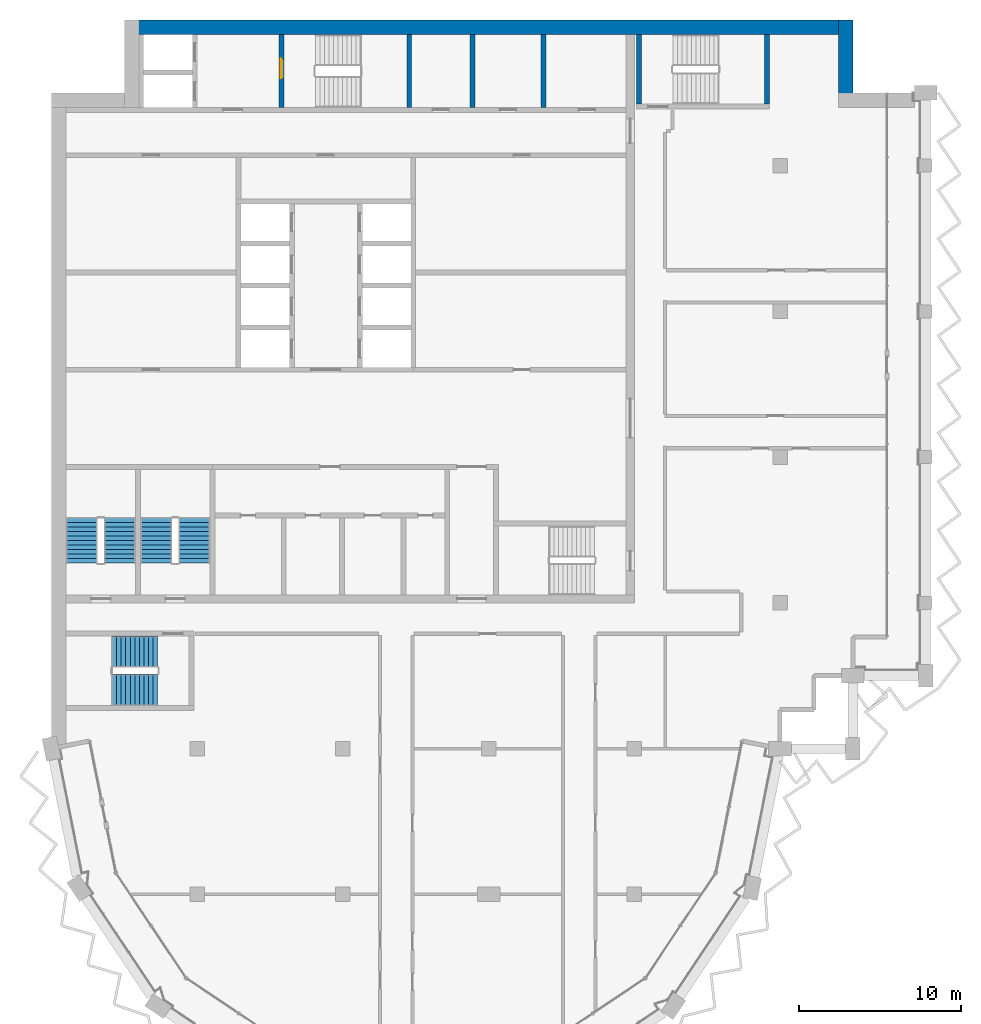
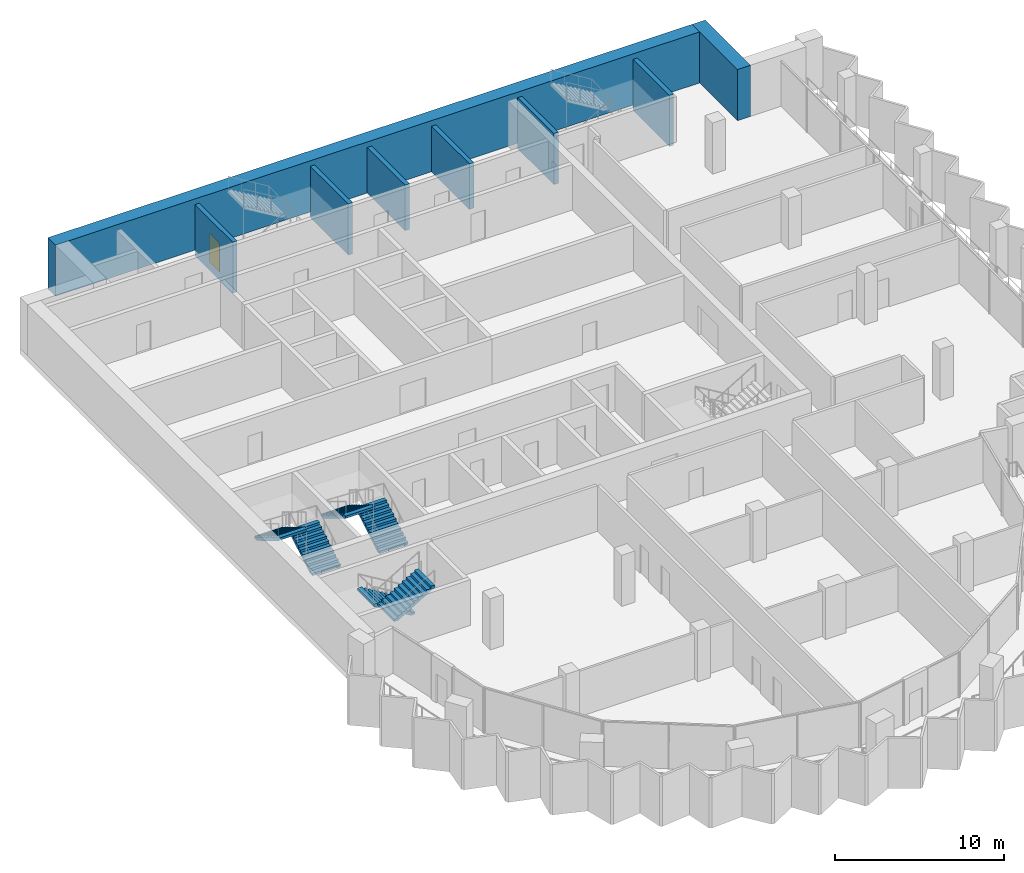
# One storey, part 10 of 14: 8 walls, 6 stair flights, 1 door, 1 opening, 3 elements without a shape of their own.
"""IFC4 building model written with IfcOpenShell, lengths in metres."""

from ifc_helpers import new_model, si_unit, direction, frame, frame_2d, origin, place, context, subcontext, project, spatial, polyline, rectangle, outline, extrude, material, layer, layer_set, type_object, element, fill, aggregate, save


model = new_model("IFC4")

# Units and contexts
model_context = context("Model", 3, precision=1e-05, world=origin(), true_north=direction((0.0, 1.0)))
body_context = subcontext(model_context, "Body", "Model", "MODEL_VIEW")
ifc_project = project(units=[si_unit("LENGTHUNIT", "METRE"), si_unit("AREAUNIT", "SQUARE_METRE"), si_unit("VOLUMEUNIT", "CUBIC_METRE"), si_unit("PLANEANGLEUNIT", "RADIAN"), si_unit("MASSUNIT", "GRAM", prefix="KILO")], contexts=[model_context])

# Site, building, storey
site_placement = place(None, origin())
site = spatial("IfcSite", under=ifc_project, at=site_placement, CompositionType="ELEMENT")
building_placement = place(site_placement, origin())
building = spatial("IfcBuilding", under=site, at=building_placement, Name="Hunhe Ridgeline Campus", CompositionType="ELEMENT")
storey_placement = place(building_placement, frame((0.0, 0.0, 284.5)))
storey = spatial("IfcBuildingStorey", under=building, at=storey_placement, Name="L73", CompositionType="ELEMENT", Elevation=284.5)

# Walls
ifc_material_1 = material(Name="Masonry concrete blockwork", Category="masonry")
ifc_layer_1 = layer(ifc_material_1, 0.300048828125)
ifc_layer_set_1 = layer_set([ifc_layer_1], Name="Core room partition 300 concrete block")
wall_type_1 = type_object("IfcWallType", Name="Core room partition 300 concrete block", PredefinedType="PARTITIONING", material=ifc_layer_set_1)
for number, where, z_axis, x_axis, name in (
    (1, (26.0, 93.60009765625, 0.0), (0.0, 0.0, 1.0), (0.0, 1.0, 0.0), "L73 core partition 40"),
    (2, (30.39990234375, 93.60009765625, 0.0), (0.0, 0.0, 1.0), (0.0, 1.0, 0.0), "L73 core partition 43"),
):
    element("IfcWall", number, at=place(storey_placement, frame(where, z_axis=z_axis, x_axis=x_axis)), inside=storey, type_object=wall_type_1, Name=name, PredefinedType="PARTITIONING", context=body_context, shape_type="SweptSolid", body=[
        extrude(rectangle(XDim=4.5, YDim=0.300048828125, at=frame_2d((2.25, 0.0))), origin(), (0.0, 0.0, 1.0), 3.300048828125),
    ])
ifc_material_2 = material(Name="Concrete C50", Category="concrete")
ifc_layer_2 = layer(ifc_material_2, 0.89990234375)
ifc_layer_set_2 = layer_set([ifc_layer_2], Name="Spine wall 900 Concrete C50")
wall_type_2 = type_object("IfcWallType", Name="Spine wall 900 Concrete C50", PredefinedType="SHEAR", material=ifc_layer_set_2)
wall_1_placement = place(storey_placement, frame((49.050048828125, 93.60009765625, 0.0), z_axis=(0.0, 0.0, 1.0), x_axis=(0.0, 1.0, 0.0)))
element("IfcWall", 3, at=wall_1_placement, inside=storey, type_object=wall_type_2, Name="Spine wall SW4-3 L73", PredefinedType="SHEAR", context=body_context, shape_type="SweptSolid", body=[
    extrude(rectangle(XDim=5.39990234375, YDim=0.89990234375, at=frame_2d((2.699951171875, 0.0))), origin(), (0.0, 0.0, 1.0), 3.699951171875),
])
wall_2_placement = place(storey_placement, frame((49.5, 98.550048828125, 0.0), z_axis=(0.0, 0.0, 1.0), x_axis=(-1.0, 0.0, 0.0)))
element("IfcWall", 4, at=wall_2_placement, inside=storey, type_object=wall_type_2, Name="Spine wall SW4-4 L73", PredefinedType="SHEAR", context=body_context, shape_type="SweptSolid", body=[
    extrude(rectangle(XDim=45.0, YDim=0.89990234375, at=frame_2d((22.5, 0.0))), origin(), (0.0, 0.0, 1.0), 3.699951171875),
])

# Wall, opening, door
ifc_layer_3 = layer(ifc_material_2, 0.300048828125)
ifc_layer_set_3 = layer_set([ifc_layer_3], Name="Stair wall 300 reinforced concrete C50")
wall_type_3 = type_object("IfcWallType", Name="Stair wall 300 reinforced concrete C50", PredefinedType="SOLIDWALL", material=ifc_layer_set_3)
wall_3_placement = place(storey_placement, frame((14.199951171875, 93.60009765625, -0.39990234375), z_axis=(0.0, 0.0, 1.0), x_axis=(0.0, 1.0, 0.0)))
wall_3 = element("IfcWall", 5, at=wall_3_placement, inside=storey, type_object=wall_type_3, Name="L73 core wall 30", PredefinedType="SOLIDWALL", context=body_context, shape_type="SweptSolid", body=[
    extrude(rectangle(XDim=4.5, YDim=0.300048828125, at=frame_2d((2.25, 0.0))), origin(), (0.0, 0.0, 1.0), 3.699951171875),
])
opening_placement = place(wall_3_placement, frame((1.800048828125, 0.0, 0.39990234375)))
opening = element("IfcOpeningElement", 6, at=opening_placement, cuts=wall_3, Name="Opening CD16", PredefinedType="OPENING", context=body_context, shape_type="SweptSolid", body=[
    extrude(rectangle(XDim=1.199951171875, YDim=2.10009765625, at=frame_2d((0.60009765625, 1.050048828125))), frame((0.0, 0.14990234375, 0.0), z_axis=(0.0, -1.0, 0.0), x_axis=(1.0, 0.0, 0.0)), (0.0, 0.0, 1.0), 0.300048828125),
])
ifc_material_3 = material(Name="Hollow metal fire door leaf")
door_type = type_object("IfcDoorType", Name="Stair door 1200x2100 FD60", OperationType="SINGLE_SWING_LEFT", PredefinedType="DOOR", material=ifc_material_3)
door_placement = place(opening_placement, origin())
door = element("IfcDoor", 7, at=door_placement, inside=storey, type_object=door_type, Name="L73 door S1-FF", OperationType="SINGLE_SWING_RIGHT", OverallHeight=2.10009765625, OverallWidth=1.199951171875, PredefinedType="DOOR", context=body_context, shape_type="SweptSolid", body=[
    extrude(rectangle(XDim=1.199951171875, YDim=2.10009765625, at=frame_2d((0.60009765625, 1.050048828125))), frame((0.0, 0.02490234375, 0.0), z_axis=(0.0, -1.0, 0.0), x_axis=(1.0, 0.0, 0.0)), (0.0, 0.0, 1.0), 0.050048828125),
])
fill(opening, door)

# Walls
wall_4_placement = place(storey_placement, frame((22.10009765625, 93.60009765625, -0.39990234375), z_axis=(0.0, 0.0, 1.0), x_axis=(0.0, 1.0, 0.0)))
element("IfcWall", 8, at=wall_4_placement, inside=storey, type_object=wall_type_3, Name="L73 core wall 36", PredefinedType="SOLIDWALL", context=body_context, shape_type="SweptSolid", body=[
    extrude(rectangle(XDim=4.5, YDim=0.300048828125, at=frame_2d((2.25, 0.0))), origin(), (0.0, 0.0, 1.0), 3.699951171875),
])
for number, where, z_axis, x_axis, name in (
    (9, (36.300048828125, 93.800048828125, -0.39990234375), (0.0, 0.0, 1.0), (0.0, 1.0, 0.0), "L73 core wall 45"),
    (10, (44.199951171875, 93.800048828125, -0.39990234375), (0.0, 0.0, 1.0), (0.0, 1.0, 0.0), "L73 core wall 46"),
):
    element("IfcWall", number, at=place(storey_placement, frame(where, z_axis=z_axis, x_axis=x_axis)), inside=storey, type_object=wall_type_3, Name=name, PredefinedType="SOLIDWALL", context=body_context, shape_type="SweptSolid", body=[
        extrude(rectangle(XDim=4.300048828125, YDim=0.300048828125, at=frame_2d((2.14990234375, 0.0))), origin(), (0.0, 0.0, 1.0), 3.699951171875),
    ])

# Stair, stair flights
ifc_material_4 = material(Name="Concrete C40", Category="concrete")
stair_type = type_object("IfcStairType", Name="Reinforced concrete dog-leg stair 1950 Concrete C40", PredefinedType="HALF_TURN_STAIR", material=ifc_material_4)
stair_1_placement = place(storey_placement, origin())
stair_1 = element("IfcStair", 11, at=stair_1_placement, inside=storey, type_object=stair_type, Name="L73 S3", PredefinedType="HALF_TURN_STAIR")
stair_flight_type = type_object("IfcStairFlightType", Name="Reinforced concrete stair flight 1950 Concrete C40", PredefinedType="STRAIGHT", material=ifc_material_4)
stair_flight_1_placement = place(storey_placement, frame((4.22509765625, 65.449951171875, 0.0), z_axis=(0.0, 0.0, 1.0), x_axis=(0.0, 1.0, 0.0)))
stair_flight_1 = element("IfcStairFlight", 12, at=stair_flight_1_placement, type_object=stair_flight_type, Name="ST3 flight 1", NumberOfRisers=11, NumberOfTreads=10, PredefinedType="STRAIGHT", RiserHeight=0.168181818, TreadLength=0.28, context=body_context, shape_type="SweptSolid", body=[
    extrude(outline(polyline([(0.0, 0.0), (0.0, 0.168212890625), (0.280029296875, 0.168212890625), (0.280029296875, 0.33642578125), (0.56005859375, 0.33642578125), (0.56005859375, 0.504638671875), (0.840087890625, 0.504638671875), (0.840087890625, 0.672607421875), (1.1201171875, 0.672607421875), (1.1201171875, 0.8408203125), (1.39990234375, 0.8408203125), (1.39990234375, 1.009033203125), (1.679931640625, 1.009033203125), (1.679931640625, 1.17724609375), (1.9599609375, 1.17724609375), (1.9599609375, 1.345458984375), (2.239990234375, 1.345458984375), (2.239990234375, 1.513671875), (2.52001953125, 1.513671875), (2.52001953125, 1.681884765625), (2.800048828125, 1.681884765625), (2.800048828125, 1.85009765625), (2.800048828125, 1.5068359375), (0.291015625, 0.0), (0.0, 0.0)])), frame((0.0, 0.97509765625, 0.0), z_axis=(0.0, -1.0, 0.0), x_axis=(1.0, 0.0, 0.0)), (0.0, 0.0, 1.0), 1.949951171875),
    extrude(outline(polyline([(0.030029296875, 0.030029296875), (0.030029296875, 0.13818359375), (0.31005859375, 0.13818359375), (0.31005859375, 0.306396484375), (0.590087890625, 0.306396484375), (0.590087890625, 0.474609375), (0.8701171875, 0.474609375), (0.8701171875, 0.642578125), (1.14990234375, 0.642578125), (1.14990234375, 0.810791015625), (1.429931640625, 0.810791015625), (1.429931640625, 0.97900390625), (1.7099609375, 0.97900390625), (1.7099609375, 1.147216796875), (1.989990234375, 1.147216796875), (1.989990234375, 1.3154296875), (2.27001953125, 1.3154296875), (2.27001953125, 1.483642578125), (2.550048828125, 1.483642578125), (2.550048828125, 1.65185546875), (2.77001953125, 1.65185546875), (2.77001953125, 1.52392578125), (0.28271484375, 0.030029296875), (0.030029296875, 0.030029296875)])), frame((0.0, -0.070068359375, 0.0), z_axis=(0.0, -1.0, 0.0), x_axis=(1.0, 0.0, 0.0)), (0.0, 0.0, 1.0), 0.019775390625),
    extrude(outline(polyline([(0.030029296875, 0.030029296875), (0.030029296875, 0.13818359375), (0.31005859375, 0.13818359375), (0.31005859375, 0.306396484375), (0.590087890625, 0.306396484375), (0.590087890625, 0.474609375), (0.8701171875, 0.474609375), (0.8701171875, 0.642578125), (1.14990234375, 0.642578125), (1.14990234375, 0.810791015625), (1.429931640625, 0.810791015625), (1.429931640625, 0.97900390625), (1.7099609375, 0.97900390625), (1.7099609375, 1.147216796875), (1.989990234375, 1.147216796875), (1.989990234375, 1.3154296875), (2.27001953125, 1.3154296875), (2.27001953125, 1.483642578125), (2.550048828125, 1.483642578125), (2.550048828125, 1.65185546875), (2.77001953125, 1.65185546875), (2.77001953125, 1.52392578125), (0.28271484375, 0.030029296875), (0.030029296875, 0.030029296875)])), frame((0.0, 0.010009765625, 0.0), z_axis=(0.0, -1.0, 0.0), x_axis=(1.0, 0.0, 0.0)), (0.0, 0.0, 1.0), 0.019775390625),
    extrude(outline(polyline([(0.030029296875, 0.030029296875), (0.030029296875, 0.13818359375), (0.31005859375, 0.13818359375), (0.31005859375, 0.306396484375), (0.590087890625, 0.306396484375), (0.590087890625, 0.474609375), (0.8701171875, 0.474609375), (0.8701171875, 0.642578125), (1.14990234375, 0.642578125), (1.14990234375, 0.810791015625), (1.429931640625, 0.810791015625), (1.429931640625, 0.97900390625), (1.7099609375, 0.97900390625), (1.7099609375, 1.147216796875), (1.989990234375, 1.147216796875), (1.989990234375, 1.3154296875), (2.27001953125, 1.3154296875), (2.27001953125, 1.483642578125), (2.550048828125, 1.483642578125), (2.550048828125, 1.65185546875), (2.77001953125, 1.65185546875), (2.77001953125, 1.52392578125), (0.28271484375, 0.030029296875), (0.030029296875, 0.030029296875)])), frame((0.0, 0.090087890625, 0.0), z_axis=(0.0, -1.0, 0.0), x_axis=(1.0, 0.0, 0.0)), (0.0, 0.0, 1.0), 0.019775390625),
])
stair_flight_2_placement = place(storey_placement, frame((1.875, 68.25, 1.85009765625), z_axis=(0.0, 0.0, 1.0), x_axis=(0.0, -1.0, 0.0)))
stair_flight_2 = element("IfcStairFlight", 13, at=stair_flight_2_placement, type_object=stair_flight_type, Name="ST3 flight 2", NumberOfRisers=11, NumberOfTreads=10, PredefinedType="STRAIGHT", RiserHeight=0.168181818, TreadLength=0.28, context=body_context, shape_type="SweptSolid", body=[
    extrude(outline(polyline([(0.0, 0.0), (0.0, 0.168212890625), (0.280029296875, 0.168212890625), (0.280029296875, 0.33642578125), (0.56005859375, 0.33642578125), (0.56005859375, 0.504638671875), (0.840087890625, 0.504638671875), (0.840087890625, 0.672607421875), (1.1201171875, 0.672607421875), (1.1201171875, 0.8408203125), (1.39990234375, 0.8408203125), (1.39990234375, 1.009033203125), (1.679931640625, 1.009033203125), (1.679931640625, 1.17724609375), (1.9599609375, 1.17724609375), (1.9599609375, 1.345458984375), (2.239990234375, 1.345458984375), (2.239990234375, 1.513671875), (2.52001953125, 1.513671875), (2.52001953125, 1.681884765625), (2.800048828125, 1.681884765625), (2.800048828125, 1.85009765625), (2.800048828125, 1.5068359375), (0.291015625, 0.0), (0.0, 0.0)])), frame((0.0, 0.97509765625, 0.0), z_axis=(0.0, -1.0, 0.0), x_axis=(1.0, 0.0, 0.0)), (0.0, 0.0, 1.0), 1.949951171875),
    extrude(outline(polyline([(0.030029296875, 0.030029296875), (0.030029296875, 0.13818359375), (0.31005859375, 0.13818359375), (0.31005859375, 0.306396484375), (0.590087890625, 0.306396484375), (0.590087890625, 0.474609375), (0.8701171875, 0.474609375), (0.8701171875, 0.642578125), (1.14990234375, 0.642578125), (1.14990234375, 0.810791015625), (1.429931640625, 0.810791015625), (1.429931640625, 0.97900390625), (1.7099609375, 0.97900390625), (1.7099609375, 1.147216796875), (1.989990234375, 1.147216796875), (1.989990234375, 1.3154296875), (2.27001953125, 1.3154296875), (2.27001953125, 1.483642578125), (2.550048828125, 1.483642578125), (2.550048828125, 1.65185546875), (2.77001953125, 1.65185546875), (2.77001953125, 1.52392578125), (0.28271484375, 0.030029296875), (0.030029296875, 0.030029296875)])), frame((0.0, -0.070068359375, 0.0), z_axis=(0.0, -1.0, 0.0), x_axis=(1.0, 0.0, 0.0)), (0.0, 0.0, 1.0), 0.019775390625),
    extrude(outline(polyline([(0.030029296875, 0.030029296875), (0.030029296875, 0.13818359375), (0.31005859375, 0.13818359375), (0.31005859375, 0.306396484375), (0.590087890625, 0.306396484375), (0.590087890625, 0.474609375), (0.8701171875, 0.474609375), (0.8701171875, 0.642578125), (1.14990234375, 0.642578125), (1.14990234375, 0.810791015625), (1.429931640625, 0.810791015625), (1.429931640625, 0.97900390625), (1.7099609375, 0.97900390625), (1.7099609375, 1.147216796875), (1.989990234375, 1.147216796875), (1.989990234375, 1.3154296875), (2.27001953125, 1.3154296875), (2.27001953125, 1.483642578125), (2.550048828125, 1.483642578125), (2.550048828125, 1.65185546875), (2.77001953125, 1.65185546875), (2.77001953125, 1.52392578125), (0.28271484375, 0.030029296875), (0.030029296875, 0.030029296875)])), frame((0.0, 0.010009765625, 0.0), z_axis=(0.0, -1.0, 0.0), x_axis=(1.0, 0.0, 0.0)), (0.0, 0.0, 1.0), 0.019775390625),
    extrude(outline(polyline([(0.030029296875, 0.030029296875), (0.030029296875, 0.13818359375), (0.31005859375, 0.13818359375), (0.31005859375, 0.306396484375), (0.590087890625, 0.306396484375), (0.590087890625, 0.474609375), (0.8701171875, 0.474609375), (0.8701171875, 0.642578125), (1.14990234375, 0.642578125), (1.14990234375, 0.810791015625), (1.429931640625, 0.810791015625), (1.429931640625, 0.97900390625), (1.7099609375, 0.97900390625), (1.7099609375, 1.147216796875), (1.989990234375, 1.147216796875), (1.989990234375, 1.3154296875), (2.27001953125, 1.3154296875), (2.27001953125, 1.483642578125), (2.550048828125, 1.483642578125), (2.550048828125, 1.65185546875), (2.77001953125, 1.65185546875), (2.77001953125, 1.52392578125), (0.28271484375, 0.030029296875), (0.030029296875, 0.030029296875)])), frame((0.0, 0.090087890625, 0.0), z_axis=(0.0, -1.0, 0.0), x_axis=(1.0, 0.0, 0.0)), (0.0, 0.0, 1.0), 0.019775390625),
])
aggregate(stair_1, [stair_flight_1, stair_flight_2])

stair_2_placement = place(storey_placement, origin())
stair_2 = element("IfcStair", 14, at=stair_2_placement, inside=storey, type_object=stair_type, Name="L73 S4", PredefinedType="HALF_TURN_STAIR")
stair_flight_3_placement = place(storey_placement, frame((8.824951171875, 65.449951171875, 0.0), z_axis=(0.0, 0.0, 1.0), x_axis=(0.0, 1.0, 0.0)))
stair_flight_3 = element("IfcStairFlight", 15, at=stair_flight_3_placement, type_object=stair_flight_type, Name="ST4 flight 1", NumberOfRisers=11, NumberOfTreads=10, PredefinedType="STRAIGHT", RiserHeight=0.168181818, TreadLength=0.28, context=body_context, shape_type="SweptSolid", body=[
    extrude(outline(polyline([(0.0, 0.0), (0.0, 0.168212890625), (0.280029296875, 0.168212890625), (0.280029296875, 0.33642578125), (0.56005859375, 0.33642578125), (0.56005859375, 0.504638671875), (0.840087890625, 0.504638671875), (0.840087890625, 0.672607421875), (1.1201171875, 0.672607421875), (1.1201171875, 0.8408203125), (1.39990234375, 0.8408203125), (1.39990234375, 1.009033203125), (1.679931640625, 1.009033203125), (1.679931640625, 1.17724609375), (1.9599609375, 1.17724609375), (1.9599609375, 1.345458984375), (2.239990234375, 1.345458984375), (2.239990234375, 1.513671875), (2.52001953125, 1.513671875), (2.52001953125, 1.681884765625), (2.800048828125, 1.681884765625), (2.800048828125, 1.85009765625), (2.800048828125, 1.5068359375), (0.291015625, 0.0), (0.0, 0.0)])), frame((0.0, 0.97509765625, 0.0), z_axis=(0.0, -1.0, 0.0), x_axis=(1.0, 0.0, 0.0)), (0.0, 0.0, 1.0), 1.949951171875),
    extrude(outline(polyline([(0.030029296875, 0.030029296875), (0.030029296875, 0.13818359375), (0.31005859375, 0.13818359375), (0.31005859375, 0.306396484375), (0.590087890625, 0.306396484375), (0.590087890625, 0.474609375), (0.8701171875, 0.474609375), (0.8701171875, 0.642578125), (1.14990234375, 0.642578125), (1.14990234375, 0.810791015625), (1.429931640625, 0.810791015625), (1.429931640625, 0.97900390625), (1.7099609375, 0.97900390625), (1.7099609375, 1.147216796875), (1.989990234375, 1.147216796875), (1.989990234375, 1.3154296875), (2.27001953125, 1.3154296875), (2.27001953125, 1.483642578125), (2.550048828125, 1.483642578125), (2.550048828125, 1.65185546875), (2.77001953125, 1.65185546875), (2.77001953125, 1.52392578125), (0.28271484375, 0.030029296875), (0.030029296875, 0.030029296875)])), frame((0.0, -0.070068359375, 0.0), z_axis=(0.0, -1.0, 0.0), x_axis=(1.0, 0.0, 0.0)), (0.0, 0.0, 1.0), 0.019775390625),
    extrude(outline(polyline([(0.030029296875, 0.030029296875), (0.030029296875, 0.13818359375), (0.31005859375, 0.13818359375), (0.31005859375, 0.306396484375), (0.590087890625, 0.306396484375), (0.590087890625, 0.474609375), (0.8701171875, 0.474609375), (0.8701171875, 0.642578125), (1.14990234375, 0.642578125), (1.14990234375, 0.810791015625), (1.429931640625, 0.810791015625), (1.429931640625, 0.97900390625), (1.7099609375, 0.97900390625), (1.7099609375, 1.147216796875), (1.989990234375, 1.147216796875), (1.989990234375, 1.3154296875), (2.27001953125, 1.3154296875), (2.27001953125, 1.483642578125), (2.550048828125, 1.483642578125), (2.550048828125, 1.65185546875), (2.77001953125, 1.65185546875), (2.77001953125, 1.52392578125), (0.28271484375, 0.030029296875), (0.030029296875, 0.030029296875)])), frame((0.0, 0.010009765625, 0.0), z_axis=(0.0, -1.0, 0.0), x_axis=(1.0, 0.0, 0.0)), (0.0, 0.0, 1.0), 0.019775390625),
    extrude(outline(polyline([(0.030029296875, 0.030029296875), (0.030029296875, 0.13818359375), (0.31005859375, 0.13818359375), (0.31005859375, 0.306396484375), (0.590087890625, 0.306396484375), (0.590087890625, 0.474609375), (0.8701171875, 0.474609375), (0.8701171875, 0.642578125), (1.14990234375, 0.642578125), (1.14990234375, 0.810791015625), (1.429931640625, 0.810791015625), (1.429931640625, 0.97900390625), (1.7099609375, 0.97900390625), (1.7099609375, 1.147216796875), (1.989990234375, 1.147216796875), (1.989990234375, 1.3154296875), (2.27001953125, 1.3154296875), (2.27001953125, 1.483642578125), (2.550048828125, 1.483642578125), (2.550048828125, 1.65185546875), (2.77001953125, 1.65185546875), (2.77001953125, 1.52392578125), (0.28271484375, 0.030029296875), (0.030029296875, 0.030029296875)])), frame((0.0, 0.090087890625, 0.0), z_axis=(0.0, -1.0, 0.0), x_axis=(1.0, 0.0, 0.0)), (0.0, 0.0, 1.0), 0.019775390625),
])
stair_flight_4_placement = place(storey_placement, frame((6.47509765625, 68.25, 1.85009765625), z_axis=(0.0, 0.0, 1.0), x_axis=(0.0, -1.0, 0.0)))
stair_flight_4 = element("IfcStairFlight", 16, at=stair_flight_4_placement, type_object=stair_flight_type, Name="ST4 flight 2", NumberOfRisers=11, NumberOfTreads=10, PredefinedType="STRAIGHT", RiserHeight=0.168181818, TreadLength=0.28, context=body_context, shape_type="SweptSolid", body=[
    extrude(outline(polyline([(0.0, 0.0), (0.0, 0.168212890625), (0.280029296875, 0.168212890625), (0.280029296875, 0.33642578125), (0.56005859375, 0.33642578125), (0.56005859375, 0.504638671875), (0.840087890625, 0.504638671875), (0.840087890625, 0.672607421875), (1.1201171875, 0.672607421875), (1.1201171875, 0.8408203125), (1.39990234375, 0.8408203125), (1.39990234375, 1.009033203125), (1.679931640625, 1.009033203125), (1.679931640625, 1.17724609375), (1.9599609375, 1.17724609375), (1.9599609375, 1.345458984375), (2.239990234375, 1.345458984375), (2.239990234375, 1.513671875), (2.52001953125, 1.513671875), (2.52001953125, 1.681884765625), (2.800048828125, 1.681884765625), (2.800048828125, 1.85009765625), (2.800048828125, 1.5068359375), (0.291015625, 0.0), (0.0, 0.0)])), frame((0.0, 0.97509765625, 0.0), z_axis=(0.0, -1.0, 0.0), x_axis=(1.0, 0.0, 0.0)), (0.0, 0.0, 1.0), 1.949951171875),
    extrude(outline(polyline([(0.030029296875, 0.030029296875), (0.030029296875, 0.13818359375), (0.31005859375, 0.13818359375), (0.31005859375, 0.306396484375), (0.590087890625, 0.306396484375), (0.590087890625, 0.474609375), (0.8701171875, 0.474609375), (0.8701171875, 0.642578125), (1.14990234375, 0.642578125), (1.14990234375, 0.810791015625), (1.429931640625, 0.810791015625), (1.429931640625, 0.97900390625), (1.7099609375, 0.97900390625), (1.7099609375, 1.147216796875), (1.989990234375, 1.147216796875), (1.989990234375, 1.3154296875), (2.27001953125, 1.3154296875), (2.27001953125, 1.483642578125), (2.550048828125, 1.483642578125), (2.550048828125, 1.65185546875), (2.77001953125, 1.65185546875), (2.77001953125, 1.52392578125), (0.28271484375, 0.030029296875), (0.030029296875, 0.030029296875)])), frame((0.0, -0.070068359375, 0.0), z_axis=(0.0, -1.0, 0.0), x_axis=(1.0, 0.0, 0.0)), (0.0, 0.0, 1.0), 0.019775390625),
    extrude(outline(polyline([(0.030029296875, 0.030029296875), (0.030029296875, 0.13818359375), (0.31005859375, 0.13818359375), (0.31005859375, 0.306396484375), (0.590087890625, 0.306396484375), (0.590087890625, 0.474609375), (0.8701171875, 0.474609375), (0.8701171875, 0.642578125), (1.14990234375, 0.642578125), (1.14990234375, 0.810791015625), (1.429931640625, 0.810791015625), (1.429931640625, 0.97900390625), (1.7099609375, 0.97900390625), (1.7099609375, 1.147216796875), (1.989990234375, 1.147216796875), (1.989990234375, 1.3154296875), (2.27001953125, 1.3154296875), (2.27001953125, 1.483642578125), (2.550048828125, 1.483642578125), (2.550048828125, 1.65185546875), (2.77001953125, 1.65185546875), (2.77001953125, 1.52392578125), (0.28271484375, 0.030029296875), (0.030029296875, 0.030029296875)])), frame((0.0, 0.010009765625, 0.0), z_axis=(0.0, -1.0, 0.0), x_axis=(1.0, 0.0, 0.0)), (0.0, 0.0, 1.0), 0.019775390625),
    extrude(outline(polyline([(0.030029296875, 0.030029296875), (0.030029296875, 0.13818359375), (0.31005859375, 0.13818359375), (0.31005859375, 0.306396484375), (0.590087890625, 0.306396484375), (0.590087890625, 0.474609375), (0.8701171875, 0.474609375), (0.8701171875, 0.642578125), (1.14990234375, 0.642578125), (1.14990234375, 0.810791015625), (1.429931640625, 0.810791015625), (1.429931640625, 0.97900390625), (1.7099609375, 0.97900390625), (1.7099609375, 1.147216796875), (1.989990234375, 1.147216796875), (1.989990234375, 1.3154296875), (2.27001953125, 1.3154296875), (2.27001953125, 1.483642578125), (2.550048828125, 1.483642578125), (2.550048828125, 1.65185546875), (2.77001953125, 1.65185546875), (2.77001953125, 1.52392578125), (0.28271484375, 0.030029296875), (0.030029296875, 0.030029296875)])), frame((0.0, 0.090087890625, 0.0), z_axis=(0.0, -1.0, 0.0), x_axis=(1.0, 0.0, 0.0)), (0.0, 0.0, 1.0), 0.019775390625),
])
aggregate(stair_2, [stair_flight_3, stair_flight_4])

stair_3_placement = place(storey_placement, origin())
stair_3 = element("IfcStair", 17, at=stair_3_placement, inside=storey, type_object=stair_type, Name="L73 W2", PredefinedType="HALF_TURN_STAIR")
stair_flight_5_placement = place(storey_placement, frame((6.550048828125, 59.97509765625, 0.0), z_axis=(0.0, 0.0, 1.0), x_axis=(-1.0, 0.0, 0.0)))
stair_flight_5 = element("IfcStairFlight", 18, at=stair_flight_5_placement, type_object=stair_flight_type, Name="ST12 flight 1", NumberOfRisers=11, NumberOfTreads=10, PredefinedType="STRAIGHT", RiserHeight=0.168181818, TreadLength=0.28, context=body_context, shape_type="SweptSolid", body=[
    extrude(outline(polyline([(0.0, 0.0), (0.0, 0.168212890625), (0.280029296875, 0.168212890625), (0.280029296875, 0.33642578125), (0.56005859375, 0.33642578125), (0.56005859375, 0.504638671875), (0.840087890625, 0.504638671875), (0.840087890625, 0.672607421875), (1.1201171875, 0.672607421875), (1.1201171875, 0.8408203125), (1.39990234375, 0.8408203125), (1.39990234375, 1.009033203125), (1.679931640625, 1.009033203125), (1.679931640625, 1.17724609375), (1.9599609375, 1.17724609375), (1.9599609375, 1.345458984375), (2.239990234375, 1.345458984375), (2.239990234375, 1.513671875), (2.52001953125, 1.513671875), (2.52001953125, 1.681884765625), (2.800048828125, 1.681884765625), (2.800048828125, 1.85009765625), (2.800048828125, 1.5068359375), (0.291015625, 0.0), (0.0, 0.0)])), frame((0.0, 0.97509765625, 0.0), z_axis=(0.0, -1.0, 0.0), x_axis=(1.0, 0.0, 0.0)), (0.0, 0.0, 1.0), 1.949951171875),
    extrude(outline(polyline([(0.030029296875, 0.030029296875), (0.030029296875, 0.13818359375), (0.31005859375, 0.13818359375), (0.31005859375, 0.306396484375), (0.590087890625, 0.306396484375), (0.590087890625, 0.474609375), (0.8701171875, 0.474609375), (0.8701171875, 0.642578125), (1.14990234375, 0.642578125), (1.14990234375, 0.810791015625), (1.429931640625, 0.810791015625), (1.429931640625, 0.97900390625), (1.7099609375, 0.97900390625), (1.7099609375, 1.147216796875), (1.989990234375, 1.147216796875), (1.989990234375, 1.3154296875), (2.27001953125, 1.3154296875), (2.27001953125, 1.483642578125), (2.550048828125, 1.483642578125), (2.550048828125, 1.65185546875), (2.77001953125, 1.65185546875), (2.77001953125, 1.52392578125), (0.28271484375, 0.030029296875), (0.030029296875, 0.030029296875)])), frame((0.0, -0.070068359375, 0.0), z_axis=(0.0, -1.0, 0.0), x_axis=(1.0, 0.0, 0.0)), (0.0, 0.0, 1.0), 0.019775390625),
    extrude(outline(polyline([(0.030029296875, 0.030029296875), (0.030029296875, 0.13818359375), (0.31005859375, 0.13818359375), (0.31005859375, 0.306396484375), (0.590087890625, 0.306396484375), (0.590087890625, 0.474609375), (0.8701171875, 0.474609375), (0.8701171875, 0.642578125), (1.14990234375, 0.642578125), (1.14990234375, 0.810791015625), (1.429931640625, 0.810791015625), (1.429931640625, 0.97900390625), (1.7099609375, 0.97900390625), (1.7099609375, 1.147216796875), (1.989990234375, 1.147216796875), (1.989990234375, 1.3154296875), (2.27001953125, 1.3154296875), (2.27001953125, 1.483642578125), (2.550048828125, 1.483642578125), (2.550048828125, 1.65185546875), (2.77001953125, 1.65185546875), (2.77001953125, 1.52392578125), (0.28271484375, 0.030029296875), (0.030029296875, 0.030029296875)])), frame((0.0, 0.010009765625, 0.0), z_axis=(0.0, -1.0, 0.0), x_axis=(1.0, 0.0, 0.0)), (0.0, 0.0, 1.0), 0.019775390625),
    extrude(outline(polyline([(0.030029296875, 0.030029296875), (0.030029296875, 0.13818359375), (0.31005859375, 0.13818359375), (0.31005859375, 0.306396484375), (0.590087890625, 0.306396484375), (0.590087890625, 0.474609375), (0.8701171875, 0.474609375), (0.8701171875, 0.642578125), (1.14990234375, 0.642578125), (1.14990234375, 0.810791015625), (1.429931640625, 0.810791015625), (1.429931640625, 0.97900390625), (1.7099609375, 0.97900390625), (1.7099609375, 1.147216796875), (1.989990234375, 1.147216796875), (1.989990234375, 1.3154296875), (2.27001953125, 1.3154296875), (2.27001953125, 1.483642578125), (2.550048828125, 1.483642578125), (2.550048828125, 1.65185546875), (2.77001953125, 1.65185546875), (2.77001953125, 1.52392578125), (0.28271484375, 0.030029296875), (0.030029296875, 0.030029296875)])), frame((0.0, 0.090087890625, 0.0), z_axis=(0.0, -1.0, 0.0), x_axis=(1.0, 0.0, 0.0)), (0.0, 0.0, 1.0), 0.019775390625),
])
stair_flight_6_placement = place(storey_placement, frame((3.75, 57.625, 1.85009765625), z_axis=(0.0, 0.0, 1.0), x_axis=(1.0, 0.0, 0.0)))
stair_flight_6 = element("IfcStairFlight", 19, at=stair_flight_6_placement, type_object=stair_flight_type, Name="ST12 flight 2", NumberOfRisers=11, NumberOfTreads=10, PredefinedType="STRAIGHT", RiserHeight=0.168181818, TreadLength=0.28, context=body_context, shape_type="SweptSolid", body=[
    extrude(outline(polyline([(0.0, 0.0), (0.0, 0.168212890625), (0.280029296875, 0.168212890625), (0.280029296875, 0.33642578125), (0.56005859375, 0.33642578125), (0.56005859375, 0.504638671875), (0.840087890625, 0.504638671875), (0.840087890625, 0.672607421875), (1.1201171875, 0.672607421875), (1.1201171875, 0.8408203125), (1.39990234375, 0.8408203125), (1.39990234375, 1.009033203125), (1.679931640625, 1.009033203125), (1.679931640625, 1.17724609375), (1.9599609375, 1.17724609375), (1.9599609375, 1.345458984375), (2.239990234375, 1.345458984375), (2.239990234375, 1.513671875), (2.52001953125, 1.513671875), (2.52001953125, 1.681884765625), (2.800048828125, 1.681884765625), (2.800048828125, 1.85009765625), (2.800048828125, 1.5068359375), (0.291015625, 0.0), (0.0, 0.0)])), frame((0.0, 0.97509765625, 0.0), z_axis=(0.0, -1.0, 0.0), x_axis=(1.0, 0.0, 0.0)), (0.0, 0.0, 1.0), 1.949951171875),
    extrude(outline(polyline([(0.030029296875, 0.030029296875), (0.030029296875, 0.13818359375), (0.31005859375, 0.13818359375), (0.31005859375, 0.306396484375), (0.590087890625, 0.306396484375), (0.590087890625, 0.474609375), (0.8701171875, 0.474609375), (0.8701171875, 0.642578125), (1.14990234375, 0.642578125), (1.14990234375, 0.810791015625), (1.429931640625, 0.810791015625), (1.429931640625, 0.97900390625), (1.7099609375, 0.97900390625), (1.7099609375, 1.147216796875), (1.989990234375, 1.147216796875), (1.989990234375, 1.3154296875), (2.27001953125, 1.3154296875), (2.27001953125, 1.483642578125), (2.550048828125, 1.483642578125), (2.550048828125, 1.65185546875), (2.77001953125, 1.65185546875), (2.77001953125, 1.52392578125), (0.28271484375, 0.030029296875), (0.030029296875, 0.030029296875)])), frame((0.0, -0.070068359375, 0.0), z_axis=(0.0, -1.0, 0.0), x_axis=(1.0, 0.0, 0.0)), (0.0, 0.0, 1.0), 0.019775390625),
    extrude(outline(polyline([(0.030029296875, 0.030029296875), (0.030029296875, 0.13818359375), (0.31005859375, 0.13818359375), (0.31005859375, 0.306396484375), (0.590087890625, 0.306396484375), (0.590087890625, 0.474609375), (0.8701171875, 0.474609375), (0.8701171875, 0.642578125), (1.14990234375, 0.642578125), (1.14990234375, 0.810791015625), (1.429931640625, 0.810791015625), (1.429931640625, 0.97900390625), (1.7099609375, 0.97900390625), (1.7099609375, 1.147216796875), (1.989990234375, 1.147216796875), (1.989990234375, 1.3154296875), (2.27001953125, 1.3154296875), (2.27001953125, 1.483642578125), (2.550048828125, 1.483642578125), (2.550048828125, 1.65185546875), (2.77001953125, 1.65185546875), (2.77001953125, 1.52392578125), (0.28271484375, 0.030029296875), (0.030029296875, 0.030029296875)])), frame((0.0, 0.010009765625, 0.0), z_axis=(0.0, -1.0, 0.0), x_axis=(1.0, 0.0, 0.0)), (0.0, 0.0, 1.0), 0.019775390625),
    extrude(outline(polyline([(0.030029296875, 0.030029296875), (0.030029296875, 0.13818359375), (0.31005859375, 0.13818359375), (0.31005859375, 0.306396484375), (0.590087890625, 0.306396484375), (0.590087890625, 0.474609375), (0.8701171875, 0.474609375), (0.8701171875, 0.642578125), (1.14990234375, 0.642578125), (1.14990234375, 0.810791015625), (1.429931640625, 0.810791015625), (1.429931640625, 0.97900390625), (1.7099609375, 0.97900390625), (1.7099609375, 1.147216796875), (1.989990234375, 1.147216796875), (1.989990234375, 1.3154296875), (2.27001953125, 1.3154296875), (2.27001953125, 1.483642578125), (2.550048828125, 1.483642578125), (2.550048828125, 1.65185546875), (2.77001953125, 1.65185546875), (2.77001953125, 1.52392578125), (0.28271484375, 0.030029296875), (0.030029296875, 0.030029296875)])), frame((0.0, 0.090087890625, 0.0), z_axis=(0.0, -1.0, 0.0), x_axis=(1.0, 0.0, 0.0)), (0.0, 0.0, 1.0), 0.019775390625),
])
aggregate(stair_3, [stair_flight_5, stair_flight_6])

save(model, "model.ifc")
